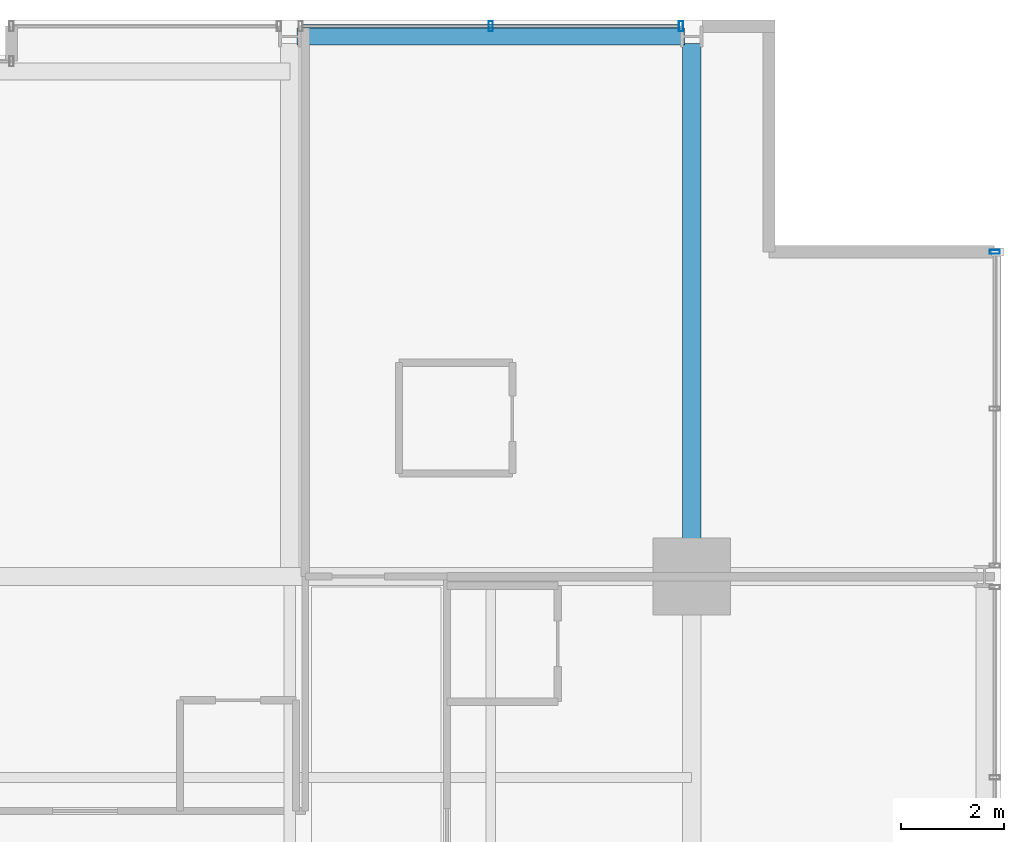
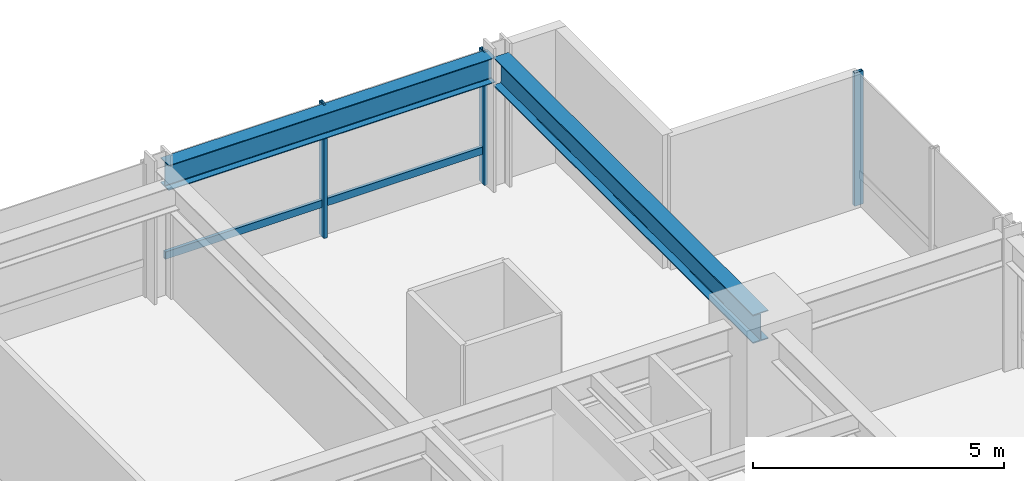
# One storey, part 26 of 34: 4 members, 2 beams, 2 elements without a shape of their own.
"""IFC4 building model written with IfcOpenShell, lengths in metres."""

from ifc_helpers import new_model, si_unit, direction, frame, origin, origin_2d, place, context, subcontext, project, spatial, hollow_rectangle, i_section, extrude, material, layer, layer_set, material_profile, profile_set, type_object, element, aggregate, save


model = new_model("IFC4")

# Units and contexts
model_context = context("Model", 3, precision=1e-05, world=origin(), true_north=direction((0.0, 1.0)))
body_context = subcontext(model_context, "Body", "Model", "MODEL_VIEW")
ifc_project = project(units=[si_unit("LENGTHUNIT", "METRE"), si_unit("AREAUNIT", "SQUARE_METRE"), si_unit("VOLUMEUNIT", "CUBIC_METRE"), si_unit("PLANEANGLEUNIT", "RADIAN"), si_unit("MASSUNIT", "GRAM", prefix="KILO")], contexts=[model_context])

# Site, building, storey
site_placement = place(None, origin())
site = spatial("IfcSite", under=ifc_project, at=site_placement, CompositionType="ELEMENT")
building_placement = place(site_placement, origin())
building = spatial("IfcBuilding", under=site, at=building_placement, Name="Drelvath Grand Hotel", CompositionType="ELEMENT")
storey_placement = place(building_placement, frame((0.0, 0.0, 126.800048828125)))
storey = spatial("IfcBuildingStorey", under=building, at=storey_placement, Name="L32", CompositionType="ELEMENT", Elevation=126.800048828125)

# Curtain wall, member
ifc_material_1 = material(Name="Champagne Bronze Anodised Aluminium Frame", Category="aluminium")
ifc_layer = layer(ifc_material_1, 0.199951171875)
ifc_layer_set = layer_set([ifc_layer], Name="Champagne Bronze Anodised Aluminium Frame")
curtain_wall_type = type_object("IfcCurtainWallType", Name="Stick Curtain Wall CW-03 Champagne Bronze Mid-Rise", PredefinedType="NOTDEFINED", material=ifc_layer_set)
curtain_wall_1_placement = place(storey_placement, origin())
curtain_wall_1 = element("IfcCurtainWall", 1, at=curtain_wall_1_placement, inside=storey, type_object=curtain_wall_type, Name="L32 CW-03 Curtain Wall CW03-L32-NE2", PredefinedType="NOTDEFINED")
ifc_material_profile_1 = material_profile(ifc_material_1, hollow_rectangle(XDim=0.074951171875, YDim=0.179931640625, WallThickness=0.0048828125, at=origin_2d()), Name="HSS180X75X5")
ifc_profile_set_1 = profile_set([ifc_material_profile_1], Name="Champagne Bronze Anodised Aluminium Frame")
member_type_1 = type_object("IfcMemberType", Name="Curtain Wall Horizontal Transom CW-03 HSS180X75X5", PredefinedType="USERDEFINED", material=ifc_profile_set_1)
member_1_placement = place(storey_placement, frame((8.6494140625, 53.8798828125, 0.81005859375), z_axis=(1.0, 0.0, 0.0), x_axis=(0.0, 1.0, 0.0)))
member_1 = element("IfcMember", 2, at=member_1_placement, type_object=member_type_1, Name="CW03-L32-NE2 Sill Transom", ObjectType="TRANSOM", PredefinedType="USERDEFINED", context=body_context, shape_type="SweptSolid", body=[
    extrude(hollow_rectangle(XDim=0.074951171875, YDim=0.179931640625, WallThickness=0.0048828125, at=origin_2d()), origin(), (0.0, 0.0, 1.0), 7.30126953125),
])

curtain_wall_2_placement = place(storey_placement, origin())
curtain_wall_2 = element("IfcCurtainWall", 3, at=curtain_wall_2_placement, inside=storey, type_object=curtain_wall_type, Name="L32 CW-03 Curtain Wall CW03-L32-EN3", PredefinedType="NOTDEFINED")
ifc_material_profile_2 = material_profile(ifc_material_1, hollow_rectangle(XDim=0.080078125, YDim=0.199951171875, WallThickness=0.0048828125, at=origin_2d()), Name="HSS200X80X5")
ifc_profile_set_2 = profile_set([ifc_material_profile_2], Name="Champagne Bronze Anodised Aluminium Frame")
member_type_2 = type_object("IfcMemberType", Name="Curtain Wall Vertical Mullion CW-03 HSS200X80X5", PredefinedType="MULLION", material=ifc_profile_set_2)
member_2_placement = place(storey_placement, frame((22.080078125, 49.5, 0.0), z_axis=(0.0, 0.0, 1.0), x_axis=(0.0, 1.0, 0.0)))
member_2 = element("IfcMember", 4, at=member_2_placement, type_object=member_type_2, Name="CW03-L32-EN3 Mullion 1", PredefinedType="MULLION", context=body_context, shape_type="SweptSolid", body=[
    extrude(hollow_rectangle(XDim=0.080078125, YDim=0.199951171875, WallThickness=0.0048828125, at=origin_2d()), origin(), (0.0, 0.0, 1.0), 3.239990234375),
])
aggregate(curtain_wall_2, [member_2])

# Member
member_3_placement = place(storey_placement, frame((12.300048828125, 53.8798828125, 0.0), z_axis=(0.0, 0.0, 1.0), x_axis=(1.0, 0.0, 0.0)))
member_3 = element("IfcMember", 5, at=member_3_placement, type_object=member_type_2, Name="CW03-L32-NE2 Mullion 2", PredefinedType="MULLION", context=body_context, shape_type="SweptSolid", body=[
    extrude(hollow_rectangle(XDim=0.080078125, YDim=0.199951171875, WallThickness=0.0048828125, at=origin_2d()), origin(), (0.0, 0.0, 1.0), 3.239990234375),
])

member_4_placement = place(storey_placement, frame((15.990478515625, 53.8798828125, 0.0), z_axis=(0.0, 0.0, 1.0), x_axis=(1.0, 0.0, 0.0)))
member_4 = element("IfcMember", 6, at=member_4_placement, type_object=member_type_2, Name="CW03-L32-NE2 Mullion 3", PredefinedType="MULLION", context=body_context, shape_type="SweptSolid", body=[
    extrude(hollow_rectangle(XDim=0.080078125, YDim=0.199951171875, WallThickness=0.0048828125, at=origin_2d()), origin(), (0.0, 0.0, 1.0), 3.239990234375),
])

aggregate(curtain_wall_1, [member_3, member_4, member_1])

# Beams
ifc_material_2 = material(Name="Steel ASTM A992 Gr 50", Category="steel")
ifc_material_profile_3 = material_profile(ifc_material_2, i_section(OverallWidth=0.323974609375, OverallDepth=0.611083984375, WebThickness=0.0126953125, FlangeThickness=0.01904296875, FilletRadius=0.02197265625, at=origin_2d()), Name="W24X104")
ifc_profile_set_3 = profile_set([ifc_material_profile_3], Name="Steel ASTM A992 Gr 50")
beam_type_1 = type_object("IfcBeamType", Name="Perimeter Spandrel Beam W24X104", PredefinedType="SPANDREL", material=ifc_profile_set_3)
beam_1_placement = place(storey_placement, frame((8.5400390625, 53.679931640625, 2.934326171875), z_axis=(1.0, 0.0, 0.0), x_axis=(0.0, 1.0, 0.0)))
element("IfcBeam", 7, at=beam_1_placement, inside=storey, type_object=beam_type_1, Name="L32 Spandrel North E", PredefinedType="SPANDREL", context=body_context, shape_type="SweptSolid", body=[
    extrude(i_section(OverallWidth=0.323974609375, OverallDepth=0.611083984375, WebThickness=0.0126953125, FlangeThickness=0.01904296875, FilletRadius=0.02197265625, at=origin_2d()), origin(), (0.0, 0.0, 1.0), 7.52001953125),
])
ifc_material_profile_4 = material_profile(ifc_material_2, i_section(OverallWidth=0.354736328125, OverallDepth=0.695556640625, WebThickness=0.015380859375, FlangeThickness=0.025146484375, FilletRadius=0.02392578125, at=origin_2d()), Name="W27X146")
ifc_profile_set_4 = profile_set([ifc_material_profile_4], Name="Steel ASTM A992 Gr 50")
beam_type_2 = type_object("IfcBeamType", Name="Primary Floor Girder W27X146", PredefinedType="BEAM", material=ifc_profile_set_4)
beam_2_placement = place(storey_placement, frame((16.199951171875, 43.199951171875, 2.892333984375), z_axis=(0.0, 1.0, 0.0), x_axis=(-1.0, 0.0, 0.0)))
element("IfcBeam", 8, at=beam_2_placement, inside=storey, type_object=beam_type_2, Name="L32 North Grid Girder 7", PredefinedType="BEAM", context=body_context, shape_type="SweptSolid", body=[
    extrude(i_section(OverallWidth=0.354736328125, OverallDepth=0.695556640625, WebThickness=0.015380859375, FlangeThickness=0.025146484375, FilletRadius=0.02392578125, at=origin_2d()), origin(), (0.0, 0.0, 1.0), 10.340087890625),
])

save(model, "model.ifc")
